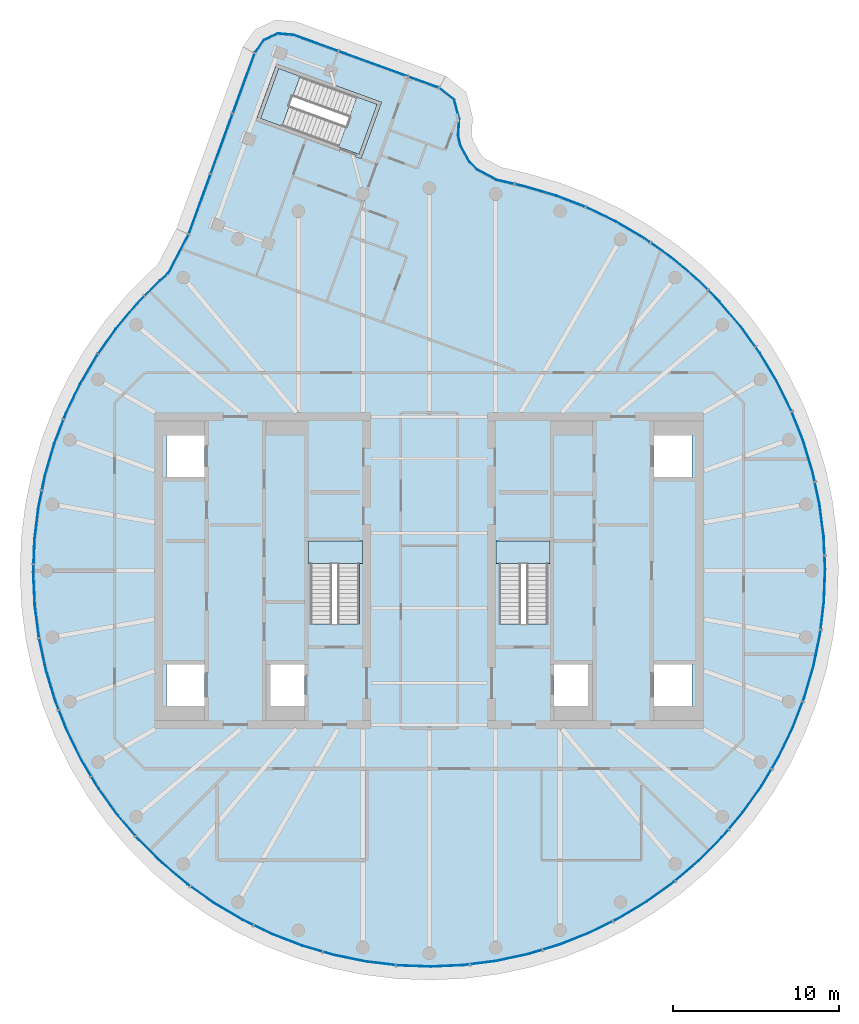
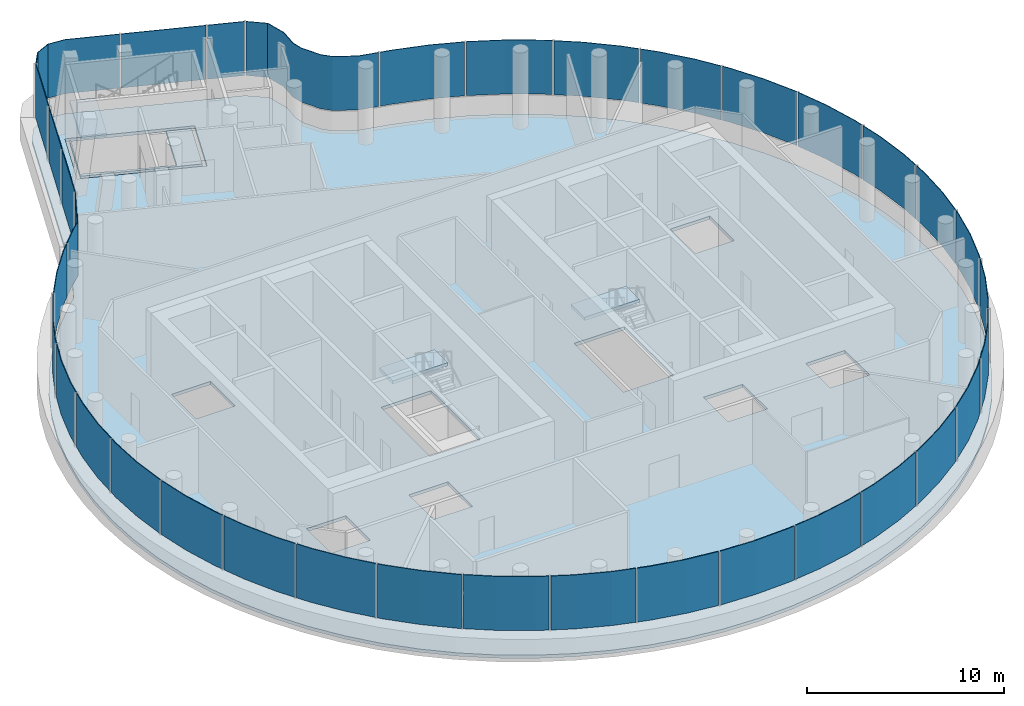
# One storey, part 7 of 12: 36 plates, 5 slabs, 6 elements without a shape of their own.
"""IFC4 building model written with IfcOpenShell, lengths in metres."""

from ifc_helpers import new_model, si_unit, direction, frame, origin, place, context, subcontext, project, spatial, polyline, outline, extrude, material, layer, layer_set, type_object, element, aggregate, save


model = new_model("IFC4")

# Units and contexts
model_context = context("Model", 3, precision=1e-05, world=origin(), true_north=direction((0.0, 1.0)))
body_context = subcontext(model_context, "Body", "Model", "MODEL_VIEW")
ifc_project = project(units=[si_unit("LENGTHUNIT", "METRE"), si_unit("AREAUNIT", "SQUARE_METRE"), si_unit("VOLUMEUNIT", "CUBIC_METRE"), si_unit("PLANEANGLEUNIT", "RADIAN"), si_unit("MASSUNIT", "GRAM", prefix="KILO")], contexts=[model_context])

# Site, building, storey
site_placement = place(None, origin())
site = spatial("IfcSite", under=ifc_project, at=site_placement, CompositionType="ELEMENT")
building_placement = place(site_placement, origin())
building = spatial("IfcBuilding", under=site, at=building_placement, Name="Tamarind Cross Interchange Tower", CompositionType="ELEMENT")
storey_placement = place(building_placement, frame((0.0, 0.0, 294.39990234375)))
storey = spatial("IfcBuildingStorey", under=building, at=storey_placement, Name="L73", CompositionType="ELEMENT", Elevation=294.39990234375)

# Slabs
ifc_material_1 = material(Name="Concrete C40", Category="concrete")
ifc_layer_1 = layer(ifc_material_1, 0.199951171875)
ifc_layer_set_1 = layer_set([ifc_layer_1], Name="Concrete C40")
slab_type_1 = type_object("IfcSlabType", Name="Composite slab 200 Concrete C40", PredefinedType="FLOOR", material=ifc_layer_set_1)
slab_1_placement = place(storey_placement, frame((0.0, 0.0, -0.199951171875)))
element("IfcSlab", 1, at=slab_1_placement, inside=storey, type_object=slab_type_1, Name="Floor slab L73", PredefinedType="FLOOR", context=body_context, shape_type="SweptSolid", body=[
    extrude(outline(polyline([(-10.07421875, 32.052001953125), (-10.66796875, 31.204345703125), (-14.642333984375, 20.301025390625), (-15.848876953125, 18.001220703125), (-16.327880859375, 17.584228515625), (-17.72412109375, 16.17578125), (-18.99951171875, 14.656982421875), (-20.14501953125, 13.0380859375), (-21.15283203125, 11.329833984375), (-22.01611328125, 9.54443359375), (-22.72900390625, 7.693603515625), (-23.286865234375, 5.79052734375), (-23.685546875, 3.84765625), (-23.92236328125, 1.878662109375), (-23.99560546875, -0.103271484375), (-23.9052734375, -2.08447265625), (-23.651611328125, -4.051513671875), (-23.236083984375, -5.99072265625), (-22.662109375, -7.88916015625), (-21.93310546875, -9.7333984375), (-21.054443359375, -11.511474609375), (-20.031982421875, -13.2109375), (-18.87255859375, -14.820068359375), (-17.584228515625, -16.327880859375), (-16.17578125, -17.72412109375), (-14.656982421875, -18.99951171875), (-13.0380859375, -20.14501953125), (-11.329833984375, -21.15283203125), (-9.54443359375, -22.01611328125), (-7.693603515625, -22.72900390625), (-5.79052734375, -23.286865234375), (-3.84765625, -23.685546875), (-1.878662109375, -23.92236328125), (0.103271484375, -23.99560546875), (2.08447265625, -23.9052734375), (4.051513671875, -23.651611328125), (5.99072265625, -23.236083984375), (7.88916015625, -22.662109375), (9.7333984375, -21.93310546875), (11.511474609375, -21.054443359375), (13.2109375, -20.031982421875), (14.820068359375, -18.87255859375), (16.327880859375, -17.584228515625), (17.72412109375, -16.17578125), (18.99951171875, -14.656982421875), (20.14501953125, -13.0380859375), (21.15283203125, -11.329833984375), (22.01611328125, -9.54443359375), (22.72900390625, -7.693603515625), (23.286865234375, -5.79052734375), (23.685546875, -3.84765625), (23.92236328125, -1.878662109375), (23.99560546875, 0.103271484375), (23.9052734375, 2.08447265625), (23.651611328125, 4.051513671875), (23.236083984375, 5.99072265625), (22.662109375, 7.88916015625), (21.93310546875, 9.7333984375), (21.054443359375, 11.511474609375), (20.031982421875, 13.2109375), (18.87255859375, 14.820068359375), (17.584228515625, 16.327880859375), (16.17578125, 17.72412109375), (14.656982421875, 18.99951171875), (13.0380859375, 20.14501953125), (11.329833984375, 21.15283203125), (9.54443359375, 22.01611328125), (7.693603515625, 22.72900390625), (5.79052734375, 23.286865234375), (4.106689453125, 23.680908203125), (2.99658203125, 24.276123046875), (2.603515625, 24.663330078125), (2.0615234375, 25.6376953125), (1.940185546875, 26.17578125), (2.004638671875, 27.190673828125), (1.6826171875, 28.412109375), (0.692626953125, 29.197021484375), (-8.10498046875, 32.39892578125), (-9.135986328125, 32.489013671875), (-10.07421875, 32.052001953125)]), holes=[polyline([(-15.800048828125, -5.625), (-13.5, -5.625), (-13.5, -8.125), (-15.800048828125, -8.125), (-15.800048828125, -5.625)]), polyline([(-7.5, -5.625), (-7.5, -8.125), (-9.800048828125, -8.125), (-9.800048828125, -5.625), (-7.5, -5.625)]), polyline([(-13.5, 8.125), (-13.5, 5.625), (-15.800048828125, 5.625), (-15.800048828125, 8.125), (-13.5, 8.125)]), polyline([(-4.10009765625, 24.769287109375), (-10.396240234375, 27.060546875), (-10.327880859375, 27.24853515625), (-9.2333984375, 30.255615234375), (-9.1650390625, 30.443603515625), (-8.896484375, 30.345703125), (-8.894775390625, 30.3505859375), (-8.624267578125, 30.24658203125), (-2.868896484375, 28.152099609375), (-2.9375, 27.964111328125), (-4.03173828125, 24.957275390625), (-4.10009765625, 24.769287109375)]), polyline([(7.5, -8.125), (7.5, -5.625), (9.800048828125, -5.625), (9.800048828125, -8.125), (7.5, -8.125)]), polyline([(13.5, -8.125), (13.5, -5.625), (15.800048828125, -5.625), (15.800048828125, -8.125), (13.5, -8.125)]), polyline([(-7.14990234375, 1.800048828125), (-4.199951171875, 1.800048828125), (-4.199951171875, -3.18798828125), (-7.14990234375, -3.18798828125), (-7.14990234375, 1.800048828125)]), polyline([(4.199951171875, 1.800048828125), (7.14990234375, 1.800048828125), (7.14990234375, -3.18798828125), (4.199951171875, -3.18798828125), (4.199951171875, 1.800048828125)]), polyline([(13.5, 5.625), (13.5, 8.125), (15.800048828125, 8.125), (15.800048828125, 5.625), (13.5, 5.625)])]), origin(), (0.0, 0.0, 1.0), 0.199951171875),
])
slab_2_placement = place(storey_placement, frame((0.0, 0.0, -0.199951171875)))
element("IfcSlab", 2, at=slab_2_placement, inside=storey, type_object=slab_type_1, Name="Floor slab L73", PredefinedType="FLOOR", context=body_context, shape_type="SweptSolid", body=[
    extrude(outline(polyline([(-9.04541015625, 30.187255859375), (-10.139892578125, 27.18017578125), (-4.2197265625, 25.025634765625), (-3.125244140625, 28.03271484375), (-4.280517578125, 28.452880859375), (-4.358154296875, 28.481201171875), (-5.4130859375, 25.58251953125), (-10.043701171875, 27.364013671875), (-8.968505859375, 30.1591796875), (-9.04541015625, 30.187255859375)])), origin(), (0.0, 0.0, 1.0), 0.199951171875),
])

# Stair, slab
ifc_material_2 = material(Name="Exit stair")
stair_type = type_object("IfcStairType", Name="Exit stair", PredefinedType="HALF_TURN_STAIR", material=ifc_material_2)
stair_1_placement = place(storey_placement, origin())
stair_1 = element("IfcStair", 3, at=stair_1_placement, inside=storey, type_object=stair_type, Name="L73 exit stair ST1", PredefinedType="HALF_TURN_STAIR")
ifc_layer_2 = layer(ifc_material_1, 0.199951171875)
ifc_layer_set_2 = layer_set([ifc_layer_2], Name="Concrete C40")
slab_type_2 = type_object("IfcSlabType", Name="Stair landing", PredefinedType="LANDING", material=ifc_layer_set_2)
slab_3_placement = place(storey_placement, frame((0.0, 0.0, 2.300048828125)))
slab_3 = element("IfcSlab", 4, at=slab_3_placement, type_object=slab_type_2, Name="ST1 landing 1", PredefinedType="LANDING", context=body_context, shape_type="SweptSolid", body=[
    extrude(outline(polyline([(-4.0, 0.43994140625), (-4.0, 1.800048828125), (-7.25, 1.800048828125), (-7.25, 0.43994140625), (-4.0, 0.43994140625)])), origin(), (0.0, 0.0, 1.0), 0.199951171875),
])
aggregate(stair_1, [slab_3])

stair_2_placement = place(storey_placement, origin())
stair_2 = element("IfcStair", 5, at=stair_2_placement, inside=storey, type_object=stair_type, Name="L73 exit stair ST2", PredefinedType="HALF_TURN_STAIR")
slab_4_placement = place(storey_placement, frame((0.0, 0.0, 2.300048828125)))
slab_4 = element("IfcSlab", 6, at=slab_4_placement, type_object=slab_type_2, Name="ST2 landing 1", PredefinedType="LANDING", context=body_context, shape_type="SweptSolid", body=[
    extrude(outline(polyline([(7.25, 0.43994140625), (7.25, 1.800048828125), (4.0, 1.800048828125), (4.0, 0.43994140625), (7.25, 0.43994140625)])), origin(), (0.0, 0.0, 1.0), 0.199951171875),
])
aggregate(stair_2, [slab_4])

stair_3_placement = place(storey_placement, origin())
stair_3 = element("IfcStair", 7, at=stair_3_placement, inside=storey, type_object=stair_type, Name="L73 exit stair ST4", PredefinedType="HALF_TURN_STAIR")
slab_5_placement = place(storey_placement, frame((0.0, 0.0, 2.300048828125)))
slab_5 = element("IfcSlab", 8, at=slab_5_placement, type_object=slab_type_2, Name="ST4 landing 1", PredefinedType="LANDING", context=body_context, shape_type="SweptSolid", body=[
    extrude(outline(polyline([(-7.756103515625, 29.718017578125), (-9.04541015625, 30.187255859375), (-10.139892578125, 27.18017578125), (-8.8505859375, 26.7109375), (-7.756103515625, 29.718017578125)])), origin(), (0.0, 0.0, 1.0), 0.199951171875),
])
aggregate(stair_3, [slab_5])

# Curtain wall, plates
ifc_material_3 = material(Name="Aluminium 6063-T6", Category="aluminium")
ifc_layer_3 = layer(ifc_material_3, 0.219970703125)
ifc_layer_set_3 = layer_set([ifc_layer_3], Name="Aluminium 6063-T6")
curtain_wall_type = type_object("IfcCurtainWallType", Name="Observation deck curtain wall", PredefinedType="NOTDEFINED", material=ifc_layer_set_3)
curtain_wall_1_placement = place(storey_placement, origin())
curtain_wall_1 = element("IfcCurtainWall", 9, at=curtain_wall_1_placement, inside=storey, type_object=curtain_wall_type, Name="CWS-L73-00", PredefinedType="NOTDEFINED")
ifc_material_4 = material(Name="Laminated low-e glass 10+1.52+10", Category="glass")
ifc_layer_4 = layer(ifc_material_4, 0.0400390625)
ifc_layer_set_4 = layer_set([ifc_layer_4], Name="Laminated low-e glass 10+1.52+10")
plate_type = type_object("IfcPlateType", Name="Vision panel CW5", PredefinedType="CURTAIN_PANEL", material=ifc_layer_set_4)
plate_1_placement = place(storey_placement, frame((0.0, 0.0, 1.400146484375)))
plate_1 = element("IfcPlate", 10, at=plate_1_placement, type_object=plate_type, Name="CWP-L73-00-00", PredefinedType="CURTAIN_PANEL", context=body_context, shape_type="SweptSolid", body=[
    extrude(outline(polyline([(0.54931640625, 29.01513671875), (-1.2333984375, 29.663818359375), (-1.2197265625, 29.701416015625), (0.563232421875, 29.052734375), (0.54931640625, 29.01513671875)])), origin(), (0.0, 0.0, 1.0), 3.349853515625),
])
plate_2_placement = place(storey_placement, frame((0.0, 0.0, 1.400146484375)))
plate_2 = element("IfcPlate", 11, at=plate_2_placement, type_object=plate_type, Name="CWP-L73-00-01", PredefinedType="CURTAIN_PANEL", context=body_context, shape_type="SweptSolid", body=[
    extrude(outline(polyline([(-1.308349609375, 29.691162109375), (-5.435302734375, 31.193115234375), (-5.421630859375, 31.230712890625), (-1.294677734375, 29.728759765625), (-1.308349609375, 29.691162109375)])), origin(), (0.0, 0.0, 1.0), 3.349853515625),
])
plate_3_placement = place(storey_placement, frame((0.0, 0.0, 1.400146484375)))
plate_3 = element("IfcPlate", 12, at=plate_3_placement, type_object=plate_type, Name="CWP-L73-00-02", PredefinedType="CURTAIN_PANEL", context=body_context, shape_type="SweptSolid", body=[
    extrude(outline(polyline([(-5.510498046875, 31.220458984375), (-8.153076171875, 32.18212890625), (-9.096435546875, 32.264892578125), (-9.927734375, 31.87744140625), (-10.44970703125, 31.132568359375), (-10.482421875, 31.155517578125), (-9.954345703125, 31.9091796875), (-9.103515625, 32.3056640625), (-8.144287109375, 32.2216796875), (-5.496826171875, 31.258056640625), (-5.510498046875, 31.220458984375)])), origin(), (0.0, 0.0, 1.0), 3.349853515625),
])
aggregate(curtain_wall_1, [plate_1, plate_2, plate_3])

curtain_wall_2_placement = place(storey_placement, origin())
curtain_wall_2 = element("IfcCurtainWall", 13, at=curtain_wall_2_placement, inside=storey, type_object=curtain_wall_type, Name="CWS-L73-01", PredefinedType="NOTDEFINED")
plate_4_placement = place(storey_placement, frame((0.0, 0.0, 1.400146484375)))
plate_4 = element("IfcPlate", 14, at=plate_4_placement, type_object=plate_type, Name="CWP-L73-01-00", PredefinedType="CURTAIN_PANEL", context=body_context, shape_type="SweptSolid", body=[
    extrude(outline(polyline([(-10.484130859375, 31.066650390625), (-11.780029296875, 27.511474609375), (-11.8173828125, 27.525146484375), (-10.521484375, 31.08056640625), (-10.484130859375, 31.066650390625)])), origin(), (0.0, 0.0, 1.0), 3.349853515625),
])
plate_5_placement = place(storey_placement, frame((0.0, 0.0, 1.400146484375)))
plate_5 = element("IfcPlate", 15, at=plate_5_placement, type_object=plate_type, Name="CWP-L73-01-01", PredefinedType="CURTAIN_PANEL", context=body_context, shape_type="SweptSolid", body=[
    extrude(outline(polyline([(-11.807373046875, 27.436279296875), (-13.103271484375, 23.881103515625), (-13.140869140625, 23.894775390625), (-11.844970703125, 27.449951171875), (-11.807373046875, 27.436279296875)])), origin(), (0.0, 0.0, 1.0), 3.349853515625),
])
plate_6_placement = place(storey_placement, frame((0.0, 0.0, 1.400146484375)))
plate_6 = element("IfcPlate", 16, at=plate_6_placement, type_object=plate_type, Name="CWP-L73-01-02", PredefinedType="CURTAIN_PANEL", context=body_context, shape_type="SweptSolid", body=[
    extrude(outline(polyline([(-13.130615234375, 23.805908203125), (-14.426513671875, 20.250732421875), (-14.464111328125, 20.264404296875), (-13.168212890625, 23.819580078125), (-13.130615234375, 23.805908203125)])), origin(), (0.0, 0.0, 1.0), 3.349853515625),
])
aggregate(curtain_wall_2, [plate_4, plate_5, plate_6])

curtain_wall_3_placement = place(storey_placement, origin())
curtain_wall_3 = element("IfcCurtainWall", 17, at=curtain_wall_3_placement, inside=storey, type_object=curtain_wall_type, Name="CWS-L73-02", PredefinedType="NOTDEFINED")
plate_7_placement = place(storey_placement, frame((0.0, 0.0, 1.400146484375)))
plate_7 = element("IfcPlate", 18, at=plate_7_placement, type_object=plate_type, Name="CWP-L73-02-00", PredefinedType="CURTAIN_PANEL", context=body_context, shape_type="SweptSolid", body=[
    extrude(outline(polyline([(-14.4599609375, 20.17529296875), (-15.673095703125, 17.8623046875), (-16.17724609375, 17.423583984375), (-17.0703125, 16.52294921875), (-17.0986328125, 16.55126953125), (-16.20458984375, 17.452880859375), (-15.705078125, 17.8876953125), (-14.495361328125, 20.19384765625), (-14.4599609375, 20.17529296875)])), origin(), (0.0, 0.0, 1.0), 3.349853515625),
])
plate_8_placement = place(storey_placement, frame((0.0, 0.0, 1.400146484375)))
plate_8 = element("IfcPlate", 19, at=plate_8_placement, type_object=plate_type, Name="CWP-L73-02-01", PredefinedType="CURTAIN_PANEL", context=body_context, shape_type="SweptSolid", body=[
    extrude(outline(polyline([(-17.12646484375, 16.466064453125), (-17.5615234375, 16.02734375), (-18.8251953125, 14.5224609375), (-19.865478515625, 13.05224609375), (-19.89794921875, 13.0751953125), (-18.856689453125, 14.546875), (-17.591064453125, 16.054443359375), (-17.155029296875, 16.494384765625), (-17.12646484375, 16.466064453125)])), origin(), (0.0, 0.0, 1.0), 3.349853515625),
])
plate_9_placement = place(storey_placement, frame((0.0, 0.0, 1.400146484375)))
plate_9 = element("IfcPlate", 20, at=plate_9_placement, type_object=plate_type, Name="CWP-L73-02-02", PredefinedType="CURTAIN_PANEL", context=body_context, shape_type="SweptSolid", body=[
    extrude(outline(polyline([(-19.91162109375, 12.98681640625), (-19.9599609375, 12.918212890625), (-20.958740234375, 11.225830078125), (-21.814208984375, 9.456787109375), (-21.9462890625, 9.11376953125), (-21.983642578125, 9.128173828125), (-21.850830078125, 9.47265625), (-20.993896484375, 11.244873046875), (-19.99365234375, 12.940185546875), (-19.9443359375, 13.010009765625), (-19.91162109375, 12.98681640625)])), origin(), (0.0, 0.0, 1.0), 3.349853515625),
])
plate_10_placement = place(storey_placement, frame((0.0, 0.0, 1.400146484375)))
plate_10 = element("IfcPlate", 21, at=plate_10_placement, type_object=plate_type, Name="CWP-L73-02-03", PredefinedType="CURTAIN_PANEL", context=body_context, shape_type="SweptSolid", body=[
    extrude(outline(polyline([(-21.97509765625, 9.0390625), (-22.5205078125, 7.623046875), (-23.0732421875, 5.7373046875), (-23.25439453125, 4.854248046875), (-23.29345703125, 4.8623046875), (-23.112060546875, 5.7470703125), (-22.558349609375, 7.635986328125), (-22.012451171875, 9.053466796875), (-21.97509765625, 9.0390625)])), origin(), (0.0, 0.0, 1.0), 3.349853515625),
])
plate_11_placement = place(storey_placement, frame((0.0, 0.0, 1.400146484375)))
plate_11 = element("IfcPlate", 22, at=plate_11_placement, type_object=plate_type, Name="CWP-L73-02-04", PredefinedType="CURTAIN_PANEL", context=body_context, shape_type="SweptSolid", body=[
    extrude(outline(polyline([(-23.2705078125, 4.77587890625), (-23.468017578125, 3.8125), (-23.702880859375, 1.861328125), (-23.755859375, 0.42724609375), (-23.7958984375, 0.4287109375), (-23.74267578125, 1.864501953125), (-23.507568359375, 3.81884765625), (-23.3095703125, 4.783935546875), (-23.2705078125, 4.77587890625)])), origin(), (0.0, 0.0, 1.0), 3.349853515625),
])
plate_12_placement = place(storey_placement, frame((0.0, 0.0, 1.400146484375)))
plate_12 = element("IfcPlate", 23, at=plate_12_placement, type_object=plate_type, Name="CWP-L73-02-05", PredefinedType="CURTAIN_PANEL", context=body_context, shape_type="SweptSolid", body=[
    extrude(outline(polyline([(-23.7587890625, 0.347412109375), (-23.775634765625, -0.102294921875), (-23.685791015625, -2.0654296875), (-23.434326171875, -4.01416015625), (-23.43408203125, -4.015869140625), (-23.47314453125, -4.024169921875), (-23.473876953125, -4.02099609375), (-23.725830078125, -2.06884765625), (-23.815673828125, -0.1025390625), (-23.798828125, 0.348876953125), (-23.7587890625, 0.347412109375)])), origin(), (0.0, 0.0, 1.0), 3.349853515625),
])
plate_13_placement = place(storey_placement, frame((0.0, 0.0, 1.400146484375)))
plate_13 = element("IfcPlate", 24, at=plate_13_placement, type_object=plate_type, Name="CWP-L73-02-06", PredefinedType="CURTAIN_PANEL", context=body_context, shape_type="SweptSolid", body=[
    extrude(outline(polyline([(-23.417236328125, -4.093994140625), (-23.02294921875, -5.935791015625), (-22.4541015625, -7.816650390625), (-22.25732421875, -8.314453125), (-22.294677734375, -8.3291015625), (-22.491943359375, -7.829833984375), (-23.061767578125, -5.94580078125), (-23.45654296875, -4.1025390625), (-23.417236328125, -4.093994140625)])), origin(), (0.0, 0.0, 1.0), 3.349853515625),
])
plate_14_placement = place(storey_placement, frame((0.0, 0.0, 1.400146484375)))
plate_14 = element("IfcPlate", 25, at=plate_14_placement, type_object=plate_type, Name="CWP-L73-02-07", PredefinedType="CURTAIN_PANEL", context=body_context, shape_type="SweptSolid", body=[
    extrude(outline(polyline([(-22.22802734375, -8.388916015625), (-21.73193359375, -9.644287109375), (-20.861328125, -11.406005859375), (-20.31005859375, -12.32177734375), (-20.344482421875, -12.342529296875), (-20.896484375, -11.425048828125), (-21.7685546875, -9.660400390625), (-22.26513671875, -8.403564453125), (-22.22802734375, -8.388916015625)])), origin(), (0.0, 0.0, 1.0), 3.349853515625),
])
plate_15_placement = place(storey_placement, frame((0.0, 0.0, 1.400146484375)))
plate_15 = element("IfcPlate", 26, at=plate_15_placement, type_object=plate_type, Name="CWP-L73-02-08", PredefinedType="CURTAIN_PANEL", context=body_context, shape_type="SweptSolid", body=[
    extrude(outline(polyline([(-20.268798828125, -12.390380859375), (-19.84814453125, -13.089599609375), (-18.699462890625, -14.68408203125), (-17.658203125, -15.902587890625), (-17.688720703125, -15.928466796875), (-18.73095703125, -14.708740234375), (-19.881591796875, -13.111572265625), (-20.30322265625, -12.410888671875), (-20.268798828125, -12.390380859375)])), origin(), (0.0, 0.0, 1.0), 3.349853515625),
])
plate_16_placement = place(storey_placement, frame((0.0, 0.0, 1.400146484375)))
plate_16 = element("IfcPlate", 27, at=plate_16_placement, type_object=plate_type, Name="CWP-L73-02-09", PredefinedType="CURTAIN_PANEL", context=body_context, shape_type="SweptSolid", body=[
    extrude(outline(polyline([(-17.6064453125, -15.96337890625), (-17.4228515625, -16.177978515625), (-16.02734375, -17.5615234375), (-14.5224609375, -18.8251953125), (-14.384521484375, -18.9228515625), (-14.407470703125, -18.95556640625), (-14.546875, -18.856689453125), (-16.054443359375, -17.591064453125), (-17.452392578125, -16.205322265625), (-17.63671875, -15.9892578125), (-17.6064453125, -15.96337890625)])), origin(), (0.0, 0.0, 1.0), 3.349853515625),
])
plate_17_placement = place(storey_placement, frame((0.0, 0.0, 1.400146484375)))
plate_17 = element("IfcPlate", 28, at=plate_17_placement, type_object=plate_type, Name="CWP-L73-02-10", PredefinedType="CURTAIN_PANEL", context=body_context, shape_type="SweptSolid", body=[
    extrude(outline(polyline([(-14.319091796875, -18.968994140625), (-12.918212890625, -19.9599609375), (-11.225830078125, -20.958740234375), (-10.59326171875, -21.2646484375), (-10.610595703125, -21.300537109375), (-11.244873046875, -20.993896484375), (-12.940185546875, -19.99365234375), (-14.34228515625, -19.001708984375), (-14.319091796875, -18.968994140625)])), origin(), (0.0, 0.0, 1.0), 3.349853515625),
])
plate_18_placement = place(storey_placement, frame((0.0, 0.0, 1.400146484375)))
plate_18 = element("IfcPlate", 29, at=plate_18_placement, type_object=plate_type, Name="CWP-L73-02-11", PredefinedType="CURTAIN_PANEL", context=body_context, shape_type="SweptSolid", body=[
    extrude(outline(polyline([(-10.521240234375, -21.29931640625), (-9.456787109375, -21.814208984375), (-7.623046875, -22.5205078125), (-6.4365234375, -22.8681640625), (-6.44775390625, -22.90673828125), (-7.635986328125, -22.558349609375), (-9.47265625, -21.850830078125), (-10.53857421875, -21.33544921875), (-10.521240234375, -21.29931640625)])), origin(), (0.0, 0.0, 1.0), 3.349853515625),
])
plate_19_placement = place(storey_placement, frame((0.0, 0.0, 1.400146484375)))
plate_19 = element("IfcPlate", 30, at=plate_19_placement, type_object=plate_type, Name="CWP-L73-02-12", PredefinedType="CURTAIN_PANEL", context=body_context, shape_type="SweptSolid", body=[
    extrude(outline(polyline([(-6.359619140625, -22.890869140625), (-5.7373046875, -23.0732421875), (-3.8125, -23.468017578125), (-2.054931640625, -23.679443359375), (-2.0595703125, -23.71923828125), (-3.81884765625, -23.507568359375), (-5.7470703125, -23.112060546875), (-6.37109375, -22.92919921875), (-6.359619140625, -22.890869140625)])), origin(), (0.0, 0.0, 1.0), 3.349853515625),
])
plate_20_placement = place(storey_placement, frame((0.0, 0.0, 1.400146484375)))
plate_20 = element("IfcPlate", 31, at=plate_20_placement, type_object=plate_type, Name="CWP-L73-02-13", PredefinedType="CURTAIN_PANEL", context=body_context, shape_type="SweptSolid", body=[
    extrude(outline(polyline([(-1.975341796875, -23.68896484375), (-1.861328125, -23.702880859375), (0.102294921875, -23.775634765625), (2.0654296875, -23.685791015625), (2.399169921875, -23.642822265625), (2.404296875, -23.682373046875), (2.06884765625, -23.725830078125), (0.1025390625, -23.815673828125), (-1.864501953125, -23.74267578125), (-1.980224609375, -23.728759765625), (-1.975341796875, -23.68896484375)])), origin(), (0.0, 0.0, 1.0), 3.349853515625),
])
plate_21_placement = place(storey_placement, frame((0.0, 0.0, 1.400146484375)))
plate_21 = element("IfcPlate", 32, at=plate_21_placement, type_object=plate_type, Name="CWP-L73-02-14", PredefinedType="CURTAIN_PANEL", context=body_context, shape_type="SweptSolid", body=[
    extrude(outline(polyline([(2.478515625, -23.632568359375), (4.01416015625, -23.434326171875), (5.935791015625, -23.02294921875), (6.768798828125, -22.77099609375), (6.780517578125, -22.809326171875), (5.94580078125, -23.061767578125), (4.02099609375, -23.473876953125), (2.483642578125, -23.67236328125), (2.478515625, -23.632568359375)])), origin(), (0.0, 0.0, 1.0), 3.349853515625),
])
plate_22_placement = place(storey_placement, frame((0.0, 0.0, 1.400146484375)))
plate_22 = element("IfcPlate", 33, at=plate_22_placement, type_object=plate_type, Name="CWP-L73-02-15", PredefinedType="CURTAIN_PANEL", context=body_context, shape_type="SweptSolid", body=[
    extrude(outline(polyline([(6.845458984375, -22.747802734375), (7.816650390625, -22.4541015625), (9.644287109375, -21.73193359375), (10.99169921875, -21.06591796875), (11.009521484375, -21.101806640625), (9.660400390625, -21.7685546875), (7.829833984375, -22.491943359375), (6.85693359375, -22.7861328125), (6.845458984375, -22.747802734375)])), origin(), (0.0, 0.0, 1.0), 3.349853515625),
])
plate_23_placement = place(storey_placement, frame((0.0, 0.0, 1.400146484375)))
plate_23 = element("IfcPlate", 34, at=plate_23_placement, type_object=plate_type, Name="CWP-L73-02-16", PredefinedType="CURTAIN_PANEL", context=body_context, shape_type="SweptSolid", body=[
    extrude(outline(polyline([(11.0634765625, -21.030517578125), (11.406005859375, -20.861328125), (13.089599609375, -19.84814453125), (14.68408203125, -18.699462890625), (14.73681640625, -18.654296875), (14.762939453125, -18.6845703125), (14.708740234375, -18.73095703125), (13.111572265625, -19.881591796875), (11.425048828125, -20.896484375), (11.081298828125, -21.06640625), (11.0634765625, -21.030517578125)])), origin(), (0.0, 0.0, 1.0), 3.349853515625),
])
plate_24_placement = place(storey_placement, frame((0.0, 0.0, 1.400146484375)))
plate_24 = element("IfcPlate", 35, at=plate_24_placement, type_object=plate_type, Name="CWP-L73-02-17", PredefinedType="CURTAIN_PANEL", context=body_context, shape_type="SweptSolid", body=[
    extrude(outline(polyline([(14.797607421875, -18.602294921875), (16.177978515625, -17.4228515625), (17.5615234375, -16.02734375), (17.949462890625, -15.5654296875), (17.97998046875, -15.591064453125), (17.591064453125, -16.054443359375), (16.205322265625, -17.452392578125), (14.82373046875, -18.632568359375), (14.797607421875, -18.602294921875)])), origin(), (0.0, 0.0, 1.0), 3.349853515625),
])
plate_25_placement = place(storey_placement, frame((0.0, 0.0, 1.400146484375)))
plate_25 = element("IfcPlate", 36, at=plate_25_placement, type_object=plate_type, Name="CWP-L73-02-18", PredefinedType="CURTAIN_PANEL", context=body_context, shape_type="SweptSolid", body=[
    extrude(outline(polyline([(18.0009765625, -15.504150390625), (18.8251953125, -14.5224609375), (19.9599609375, -12.918212890625), (20.537841796875, -11.939208984375), (20.572265625, -11.95947265625), (19.99365234375, -12.940185546875), (18.856689453125, -14.546875), (18.031494140625, -15.52978515625), (18.0009765625, -15.504150390625)])), origin(), (0.0, 0.0, 1.0), 3.349853515625),
])
plate_26_placement = place(storey_placement, frame((0.0, 0.0, 1.400146484375)))
plate_26 = element("IfcPlate", 37, at=plate_26_placement, type_object=plate_type, Name="CWP-L73-02-19", PredefinedType="CURTAIN_PANEL", context=body_context, shape_type="SweptSolid", body=[
    extrude(outline(polyline([(20.578369140625, -11.870361328125), (20.958740234375, -11.225830078125), (21.814208984375, -9.456787109375), (22.414794921875, -7.89794921875), (22.451904296875, -7.912353515625), (21.850830078125, -9.47265625), (20.993896484375, -11.244873046875), (20.613037109375, -11.890625), (20.578369140625, -11.870361328125)])), origin(), (0.0, 0.0, 1.0), 3.349853515625),
])
plate_27_placement = place(storey_placement, frame((0.0, 0.0, 1.400146484375)))
plate_27 = element("IfcPlate", 38, at=plate_27_placement, type_object=plate_type, Name="CWP-L73-02-20", PredefinedType="CURTAIN_PANEL", context=body_context, shape_type="SweptSolid", body=[
    extrude(outline(polyline([(22.443359375, -7.8232421875), (22.5205078125, -7.623046875), (23.0732421875, -5.7373046875), (23.468017578125, -3.8125), (23.496337890625, -3.5771484375), (23.5361328125, -3.581787109375), (23.507568359375, -3.81884765625), (23.112060546875, -5.7470703125), (22.558349609375, -7.635986328125), (22.480712890625, -7.837646484375), (22.443359375, -7.8232421875)])), origin(), (0.0, 0.0, 1.0), 3.349853515625),
])
plate_28_placement = place(storey_placement, frame((0.0, 0.0, 1.400146484375)))
plate_28 = element("IfcPlate", 39, at=plate_28_placement, type_object=plate_type, Name="CWP-L73-02-21", PredefinedType="CURTAIN_PANEL", context=body_context, shape_type="SweptSolid", body=[
    extrude(outline(polyline([(23.505859375, -3.49755859375), (23.702880859375, -1.861328125), (23.775634765625, 0.102294921875), (23.740478515625, 0.872314453125), (23.7802734375, 0.8740234375), (23.815673828125, 0.1025390625), (23.74267578125, -1.864501953125), (23.545654296875, -3.50244140625), (23.505859375, -3.49755859375)])), origin(), (0.0, 0.0, 1.0), 3.349853515625),
])
plate_29_placement = place(storey_placement, frame((0.0, 0.0, 1.400146484375)))
plate_29 = element("IfcPlate", 40, at=plate_29_placement, type_object=plate_type, Name="CWP-L73-02-22", PredefinedType="CURTAIN_PANEL", context=body_context, shape_type="SweptSolid", body=[
    extrude(outline(polyline([(23.73681640625, 0.9521484375), (23.685791015625, 2.0654296875), (23.434326171875, 4.01416015625), (23.1611328125, 5.289794921875), (23.200439453125, 5.29833984375), (23.473876953125, 4.02099609375), (23.725830078125, 2.06884765625), (23.776611328125, 0.9541015625), (23.73681640625, 0.9521484375)])), origin(), (0.0, 0.0, 1.0), 3.349853515625),
])
plate_30_placement = place(storey_placement, frame((0.0, 0.0, 1.400146484375)))
plate_30 = element("IfcPlate", 41, at=plate_30_placement, type_object=plate_type, Name="CWP-L73-02-23", PredefinedType="CURTAIN_PANEL", context=body_context, shape_type="SweptSolid", body=[
    extrude(outline(polyline([(23.14453125, 5.3681640625), (23.02294921875, 5.935791015625), (22.4541015625, 7.816650390625), (21.778564453125, 9.526123046875), (21.815673828125, 9.540771484375), (22.491943359375, 7.829833984375), (23.061767578125, 5.94580078125), (23.18359375, 5.37646484375), (23.14453125, 5.3681640625)])), origin(), (0.0, 0.0, 1.0), 3.349853515625),
])
plate_31_placement = place(storey_placement, frame((0.0, 0.0, 1.400146484375)))
plate_31 = element("IfcPlate", 42, at=plate_31_placement, type_object=plate_type, Name="CWP-L73-02-24", PredefinedType="CURTAIN_PANEL", context=body_context, shape_type="SweptSolid", body=[
    extrude(outline(polyline([(21.749267578125, 9.6005859375), (21.73193359375, 9.644287109375), (20.861328125, 11.406005859375), (19.84814453125, 13.089599609375), (19.611572265625, 13.41796875), (19.64404296875, 13.44140625), (19.881591796875, 13.111572265625), (20.896484375, 11.425048828125), (21.7685546875, 9.660400390625), (21.786376953125, 9.615234375), (21.749267578125, 9.6005859375)])), origin(), (0.0, 0.0, 1.0), 3.349853515625),
])
plate_32_placement = place(storey_placement, frame((0.0, 0.0, 1.400146484375)))
plate_32 = element("IfcPlate", 43, at=plate_32_placement, type_object=plate_type, Name="CWP-L73-02-25", PredefinedType="CURTAIN_PANEL", context=body_context, shape_type="SweptSolid", body=[
    extrude(outline(polyline([(19.56494140625, 13.48291015625), (18.699462890625, 14.68408203125), (17.4228515625, 16.177978515625), (16.756591796875, 16.838623046875), (16.78466796875, 16.8671875), (17.452392578125, 16.205322265625), (18.73095703125, 14.708740234375), (19.597412109375, 13.506103515625), (19.56494140625, 13.48291015625)])), origin(), (0.0, 0.0, 1.0), 3.349853515625),
])
plate_33_placement = place(storey_placement, frame((0.0, 0.0, 1.400146484375)))
plate_33 = element("IfcPlate", 44, at=plate_33_placement, type_object=plate_type, Name="CWP-L73-02-26", PredefinedType="CURTAIN_PANEL", context=body_context, shape_type="SweptSolid", body=[
    extrude(outline(polyline([(16.69970703125, 16.89501953125), (16.02734375, 17.5615234375), (14.5224609375, 18.8251953125), (13.32080078125, 19.67529296875), (13.343994140625, 19.7080078125), (14.546875, 18.856689453125), (16.054443359375, 17.591064453125), (16.727783203125, 16.92333984375), (16.69970703125, 16.89501953125)])), origin(), (0.0, 0.0, 1.0), 3.349853515625),
])
plate_34_placement = place(storey_placement, frame((0.0, 0.0, 1.400146484375)))
plate_34 = element("IfcPlate", 45, at=plate_34_placement, type_object=plate_type, Name="CWP-L73-02-27", PredefinedType="CURTAIN_PANEL", context=body_context, shape_type="SweptSolid", body=[
    extrude(outline(polyline([(13.25537109375, 19.721435546875), (12.918212890625, 19.9599609375), (11.225830078125, 20.958740234375), (9.456787109375, 21.814208984375), (9.4208984375, 21.827880859375), (9.435302734375, 21.865234375), (9.47265625, 21.850830078125), (11.244873046875, 20.993896484375), (12.940185546875, 19.99365234375), (13.278564453125, 19.754150390625), (13.25537109375, 19.721435546875)])), origin(), (0.0, 0.0, 1.0), 3.349853515625),
])
plate_35_placement = place(storey_placement, frame((0.0, 0.0, 1.400146484375)))
plate_35 = element("IfcPlate", 46, at=plate_35_placement, type_object=plate_type, Name="CWP-L73-02-28", PredefinedType="CURTAIN_PANEL", context=body_context, shape_type="SweptSolid", body=[
    extrude(outline(polyline([(9.34619140625, 21.856689453125), (7.623046875, 22.5205078125), (5.734375, 23.073974609375), (5.16455078125, 23.20751953125), (5.173583984375, 23.246337890625), (5.74462890625, 23.11279296875), (7.635986328125, 22.558349609375), (9.360595703125, 21.89404296875), (9.34619140625, 21.856689453125)])), origin(), (0.0, 0.0, 1.0), 3.349853515625),
])
plate_36_placement = place(storey_placement, frame((0.0, 0.0, 1.400146484375)))
plate_36 = element("IfcPlate", 47, at=plate_36_placement, type_object=plate_type, Name="CWP-L73-02-29", PredefinedType="CURTAIN_PANEL", context=body_context, shape_type="SweptSolid", body=[
    extrude(outline(polyline([(5.086669921875, 23.2255859375), (4.0283203125, 23.473388671875), (2.86474609375, 24.097412109375), (2.4267578125, 24.52880859375), (1.85400390625, 25.55859375), (1.718505859375, 26.158447265625), (1.782958984375, 27.169189453125), (1.488525390625, 28.285400390625), (0.61279296875, 28.979736328125), (0.6376953125, 29.010986328125), (1.52392578125, 28.308349609375), (1.8232421875, 27.173095703125), (1.7587890625, 26.16162109375), (1.891845703125, 25.572998046875), (2.458740234375, 24.55322265625), (2.888671875, 24.1298828125), (4.04248046875, 23.51123046875), (5.095703125, 23.2646484375), (5.086669921875, 23.2255859375)])), origin(), (0.0, 0.0, 1.0), 3.349853515625),
])
aggregate(curtain_wall_3, [plate_7, plate_8, plate_9, plate_10, plate_11, plate_12, plate_13, plate_14, plate_15, plate_16, plate_17, plate_18, plate_19, plate_20, plate_21, plate_22, plate_23, plate_24, plate_25, plate_26, plate_27, plate_28, plate_29, plate_30, plate_31, plate_32, plate_33, plate_34, plate_35, plate_36])

save(model, "model.ifc")
